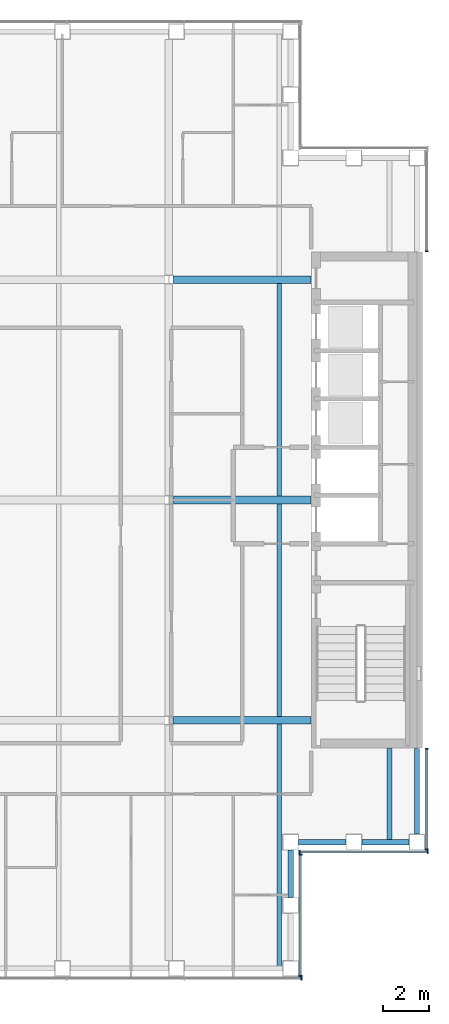
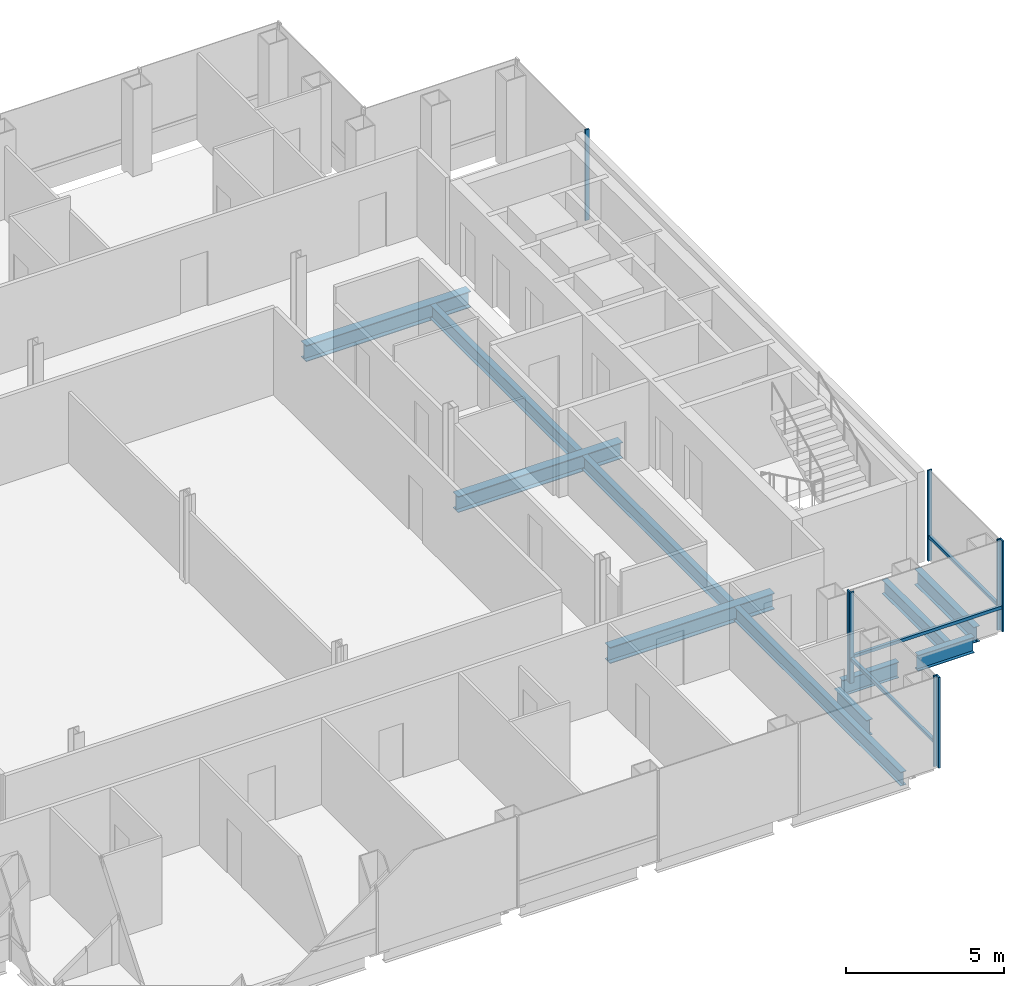
# One storey, part 6 of 15: 11 beams, 11 members, 5 elements without a shape of their own.
"""IFC4 building model written with IfcOpenShell, lengths in metres."""

from ifc_helpers import new_model, si_unit, direction, frame, origin, origin_2d, place, context, subcontext, project, spatial, rectangle, i_section, extrude, material, material_profile, profile_set, type_object, element, aggregate, save


model = new_model("IFC4")

# Units and contexts
model_context = context("Model", 3, precision=1e-05, world=origin(), true_north=direction((0.0, 1.0)))
body_context = subcontext(model_context, "Body", "Model", "MODEL_VIEW")
ifc_project = project(units=[si_unit("LENGTHUNIT", "METRE"), si_unit("AREAUNIT", "SQUARE_METRE"), si_unit("VOLUMEUNIT", "CUBIC_METRE"), si_unit("PLANEANGLEUNIT", "RADIAN"), si_unit("MASSUNIT", "GRAM", prefix="KILO")], contexts=[model_context])

# Site, building, storey
site_placement = place(None, origin())
site = spatial("IfcSite", under=ifc_project, at=site_placement, CompositionType="ELEMENT")
building_placement = place(site_placement, origin())
building = spatial("IfcBuilding", under=site, at=building_placement, Name="Cobrizo Arcos Hotel Tower", CompositionType="ELEMENT")
storey_placement = place(building_placement, frame((0.0, 0.0, 194.5)))
storey = spatial("IfcBuildingStorey", under=building, at=storey_placement, Name="L50", CompositionType="ELEMENT", Elevation=194.5)

# Curtain wall, member
ifc_material_1 = material(Name="Aluminium 6063-T6 anodised bronze", Category="aluminium")
curtain_wall_type = type_object("IfcCurtainWallType", Name="CW-A guest facade", PredefinedType="NOTDEFINED", material=ifc_material_1)
curtain_wall_1_placement = place(storey_placement, origin())
curtain_wall_1 = element("IfcCurtainWall", 1, at=curtain_wall_1_placement, inside=storey, type_object=curtain_wall_type, Name="CW-A L50 S face", PredefinedType="NOTDEFINED")
ifc_material_profile_1 = material_profile(ifc_material_1, rectangle(XDim=0.14990234375, YDim=0.06005859375, at=origin_2d()), Name="CW-A mullion 150x60")
ifc_profile_set_1 = profile_set([ifc_material_profile_1], Name="Aluminium 6063-T6 anodised bronze")
member_type_1 = type_object("IfcMemberType", Name="CW-A mullion 150x60", PredefinedType="MULLION", material=ifc_profile_set_1)
member_1_placement = place(storey_placement, frame((15.3701171875, -20.824951171875, 0.0), z_axis=(0.0, 0.0, 1.0), x_axis=(0.0, -1.0, 0.0)))
member_1 = element("IfcMember", 2, at=member_1_placement, type_object=member_type_1, Name="CW-A mullion 7", PredefinedType="MULLION", context=body_context, shape_type="SweptSolid", body=[
    extrude(rectangle(XDim=0.14990234375, YDim=0.06005859375, at=origin_2d()), origin(), (0.0, 0.0, 1.0), 3.5),
])
aggregate(curtain_wall_1, [member_1])

# Curtain wall, members
curtain_wall_2_placement = place(storey_placement, origin())
curtain_wall_2 = element("IfcCurtainWall", 3, at=curtain_wall_2_placement, inside=storey, type_object=curtain_wall_type, Name="CW-A L50 E face", PredefinedType="NOTDEFINED")
member_2_placement = place(storey_placement, frame((15.324951171875, -20.719970703125, 0.0), z_axis=(0.0, 0.0, 1.0), x_axis=(1.0, 0.0, 0.0)))
member_2 = element("IfcMember", 4, at=member_2_placement, type_object=member_type_1, Name="CW-A mullion 1", PredefinedType="MULLION", context=body_context, shape_type="SweptSolid", body=[
    extrude(rectangle(XDim=0.14990234375, YDim=0.06005859375, at=origin_2d()), origin(), (0.0, 0.0, 1.0), 3.5),
])
member_3_placement = place(storey_placement, frame((15.324951171875, -15.429931640625, 0.0), z_axis=(0.0, 0.0, 1.0), x_axis=(1.0, 0.0, 0.0)))
member_3 = element("IfcMember", 5, at=member_3_placement, type_object=member_type_1, Name="CW-A mullion 2", PredefinedType="MULLION", context=body_context, shape_type="SweptSolid", body=[
    extrude(rectangle(XDim=0.14990234375, YDim=0.06005859375, at=origin_2d()), origin(), (0.0, 0.0, 1.0), 3.5),
])

curtain_wall_3_placement = place(storey_placement, origin())
curtain_wall_3 = element("IfcCurtainWall", 6, at=curtain_wall_3_placement, inside=storey, type_object=curtain_wall_type, Name="CW-A L50 S face", PredefinedType="NOTDEFINED")
member_4_placement = place(storey_placement, frame((15.280029296875, -15.324951171875, 0.0), z_axis=(0.0, 0.0, 1.0), x_axis=(0.0, -1.0, 0.0)))
member_4 = element("IfcMember", 7, at=member_4_placement, type_object=member_type_1, Name="CW-A mullion 1", PredefinedType="MULLION", context=body_context, shape_type="SweptSolid", body=[
    extrude(rectangle(XDim=0.14990234375, YDim=0.06005859375, at=origin_2d()), origin(), (0.0, 0.0, 1.0), 3.5),
])
member_5_placement = place(storey_placement, frame((20.8701171875, -15.324951171875, 0.0), z_axis=(0.0, 0.0, 1.0), x_axis=(0.0, -1.0, 0.0)))
member_5 = element("IfcMember", 8, at=member_5_placement, type_object=member_type_1, Name="CW-A mullion 2", PredefinedType="MULLION", context=body_context, shape_type="SweptSolid", body=[
    extrude(rectangle(XDim=0.14990234375, YDim=0.06005859375, at=origin_2d()), origin(), (0.0, 0.0, 1.0), 3.5),
])

curtain_wall_4_placement = place(storey_placement, origin())
curtain_wall_4 = element("IfcCurtainWall", 9, at=curtain_wall_4_placement, inside=storey, type_object=curtain_wall_type, Name="CW-A L50 E face", PredefinedType="NOTDEFINED")
member_6_placement = place(storey_placement, frame((20.824951171875, -15.219970703125, 0.0), z_axis=(0.0, 0.0, 1.0), x_axis=(1.0, 0.0, 0.0)))
member_6 = element("IfcMember", 10, at=member_6_placement, type_object=member_type_1, Name="CW-A mullion 1", PredefinedType="MULLION", context=body_context, shape_type="SweptSolid", body=[
    extrude(rectangle(XDim=0.14990234375, YDim=0.06005859375, at=origin_2d()), origin(), (0.0, 0.0, 1.0), 3.5),
])
member_7_placement = place(storey_placement, frame((20.824951171875, -10.830078125, 0.0), z_axis=(0.0, 0.0, 1.0), x_axis=(1.0, 0.0, 0.0)))
member_7 = element("IfcMember", 11, at=member_7_placement, type_object=member_type_1, Name="CW-A mullion 2", PredefinedType="MULLION", context=body_context, shape_type="SweptSolid", body=[
    extrude(rectangle(XDim=0.14990234375, YDim=0.06005859375, at=origin_2d()), origin(), (0.0, 0.0, 1.0), 3.5),
])

# Curtain wall, member
curtain_wall_5_placement = place(storey_placement, origin())
curtain_wall_5 = element("IfcCurtainWall", 12, at=curtain_wall_5_placement, inside=storey, type_object=curtain_wall_type, Name="CW-A L50 E face", PredefinedType="NOTDEFINED")
member_8_placement = place(storey_placement, frame((20.824951171875, 10.830078125, 0.0), z_axis=(0.0, 0.0, 1.0), x_axis=(1.0, 0.0, 0.0)))
member_8 = element("IfcMember", 13, at=member_8_placement, type_object=member_type_1, Name="CW-A mullion 1", PredefinedType="MULLION", context=body_context, shape_type="SweptSolid", body=[
    extrude(rectangle(XDim=0.14990234375, YDim=0.06005859375, at=origin_2d()), origin(), (0.0, 0.0, 1.0), 3.5),
])
aggregate(curtain_wall_5, [member_8])

# Member
ifc_material_profile_2 = material_profile(ifc_material_1, rectangle(XDim=0.10009765625, YDim=0.1201171875, at=origin_2d()), Name="CW-A transom 120x100")
ifc_profile_set_2 = profile_set([ifc_material_profile_2], Name="Aluminium 6063-T6 anodised bronze")
member_type_2 = type_object("IfcMemberType", Name="CW-A transom 120x100", PredefinedType="USERDEFINED", material=ifc_profile_set_2)
member_9_placement = place(storey_placement, frame((15.324951171875, -20.68994140625, 0.929931640625), z_axis=(0.0, 1.0, 0.0), x_axis=(-1.0, 0.0, 0.0)))
member_9 = element("IfcMember", 14, at=member_9_placement, type_object=member_type_2, Name="CW-A transom 1726", ObjectType="TRANSOM", PredefinedType="USERDEFINED", context=body_context, shape_type="SweptSolid", body=[
    extrude(rectangle(XDim=0.10009765625, YDim=0.1201171875, at=origin_2d()), origin(), (0.0, 0.0, 1.0), 5.22998046875),
])

aggregate(curtain_wall_2, [member_2, member_3, member_9])

member_10_placement = place(storey_placement, frame((15.31005859375, -15.324951171875, 0.929931640625), z_axis=(1.0, 0.0, 0.0), x_axis=(0.0, 1.0, 0.0)))
member_10 = element("IfcMember", 15, at=member_10_placement, type_object=member_type_2, Name="CW-A transom 1727", ObjectType="TRANSOM", PredefinedType="USERDEFINED", context=body_context, shape_type="SweptSolid", body=[
    extrude(rectangle(XDim=0.10009765625, YDim=0.1201171875, at=origin_2d()), origin(), (0.0, 0.0, 1.0), 5.530029296875),
])

aggregate(curtain_wall_3, [member_4, member_5, member_10])

member_11_placement = place(storey_placement, frame((20.824951171875, -15.18994140625, 0.929931640625), z_axis=(0.0, 1.0, 0.0), x_axis=(-1.0, 0.0, 0.0)))
member_11 = element("IfcMember", 16, at=member_11_placement, type_object=member_type_2, Name="CW-A transom 1728", ObjectType="TRANSOM", PredefinedType="USERDEFINED", context=body_context, shape_type="SweptSolid", body=[
    extrude(rectangle(XDim=0.10009765625, YDim=0.1201171875, at=origin_2d()), origin(), (0.0, 0.0, 1.0), 4.329833984375),
])

aggregate(curtain_wall_4, [member_6, member_7, member_11])

# Beams
ifc_material_2 = material(Name="Steel ASTM A992 Grade 50", Category="steel")
ifc_material_profile_3 = material_profile(ifc_material_2, i_section(OverallWidth=0.209228515625, OverallDepth=0.533447265625, WebThickness=0.01025390625, FlangeThickness=0.015625, at=origin_2d()), Name="W21X62")
ifc_profile_set_3 = profile_set([ifc_material_profile_3], Name="Steel ASTM A992 Grade 50")
beam_type_1 = type_object("IfcBeamType", Name="W21X62 joist", PredefinedType="JOIST", material=ifc_profile_set_3)
beam_1_placement = place(storey_placement, frame((14.39990234375, -20.31005859375, -0.416748046875), z_axis=(0.0, 1.0, 0.0), x_axis=(-1.0, 0.0, 0.0)))
element("IfcBeam", 17, at=beam_1_placement, inside=storey, type_object=beam_type_1, Name="Floor joist J1, L50, no. 015", PredefinedType="JOIST", context=body_context, shape_type="SweptSolid", body=[
    extrude(i_section(OverallWidth=0.209228515625, OverallDepth=0.533447265625, WebThickness=0.01025390625, FlangeThickness=0.015625, at=origin_2d()), origin(), (0.0, 0.0, 1.0), 10.546142578125),
])
for number, where, z_axis, x_axis, name in (
    (18, (14.39990234375, -9.43603515625, -0.416748046875), (0.0, 1.0, 0.0), (-1.0, 0.0, 0.0), "Floor joist J1, L50, no. 016"),
    (19, (14.39990234375, 0.163818359375, -0.416748046875), (0.0, 1.0, 0.0), (-1.0, 0.0, 0.0), "Floor joist J1, L50, no. 017"),
):
    element("IfcBeam", number, at=place(storey_placement, frame(where, z_axis=z_axis, x_axis=x_axis)), inside=storey, type_object=beam_type_1, Name=name, PredefinedType="JOIST", context=body_context, shape_type="SweptSolid", body=[
        extrude(i_section(OverallWidth=0.209228515625, OverallDepth=0.533447265625, WebThickness=0.01025390625, FlangeThickness=0.015625, at=origin_2d()), origin(), (0.0, 0.0, 1.0), 9.272216796875),
    ])
beam_2_placement = place(storey_placement, frame((19.199951171875, -14.81005859375, -0.416748046875), z_axis=(0.0, 1.0, 0.0), x_axis=(-1.0, 0.0, 0.0)))
element("IfcBeam", 20, at=beam_2_placement, inside=storey, type_object=beam_type_1, Name="Floor joist J1, L50, no. 019", PredefinedType="JOIST", context=body_context, shape_type="SweptSolid", body=[
    extrude(i_section(OverallWidth=0.209228515625, OverallDepth=0.533447265625, WebThickness=0.01025390625, FlangeThickness=0.015625, at=origin_2d()), origin(), (0.0, 0.0, 1.0), 4.0),
])
ifc_material_profile_4 = material_profile(ifc_material_2, i_section(OverallWidth=0.32763671875, OverallDepth=0.622314453125, WebThickness=0.015380859375, FlangeThickness=0.0244140625, at=origin_2d()), Name="W24X131")
ifc_profile_set_4 = profile_set([ifc_material_profile_4], Name="Steel ASTM A992 Grade 50")
beam_type_2 = type_object("IfcBeamType", Name="W24X131 girder", PredefinedType="BEAM", material=ifc_profile_set_4)
for number, where, z_axis, x_axis, name in (
    (21, (9.78662109375, -9.60009765625, -0.461181640625), (1.0, 0.0, 0.0), (0.0, 1.0, 0.0), "Floor girder G1, L50, no. 004"),
    (22, (9.78662109375, 0.0, -0.461181640625), (1.0, 0.0, 0.0), (0.0, 1.0, 0.0), "Floor girder G1, L50, no. 008"),
    (23, (9.78662109375, 9.60009765625, -0.461181640625), (1.0, 0.0, 0.0), (0.0, 1.0, 0.0), "Floor girder G1, L50, no. 012"),
):
    element("IfcBeam", number, at=place(storey_placement, frame(where, z_axis=z_axis, x_axis=x_axis)), inside=storey, type_object=beam_type_2, Name=name, PredefinedType="BEAM", context=body_context, shape_type="SweptSolid", body=[
        extrude(i_section(OverallWidth=0.32763671875, OverallDepth=0.622314453125, WebThickness=0.015380859375, FlangeThickness=0.0244140625, at=origin_2d()), origin(), (0.0, 0.0, 1.0), 6.00341796875),
    ])
ifc_material_profile_5 = material_profile(ifc_material_2, i_section(OverallWidth=0.228271484375, OverallDepth=0.607177734375, WebThickness=0.01123046875, FlangeThickness=0.017333984375, at=origin_2d()), Name="W24X76")
ifc_profile_set_5 = profile_set([ifc_material_profile_5], Name="Steel ASTM A992 Grade 50")
beam_type_3 = type_object("IfcBeamType", Name="W24X76 spandrel", PredefinedType="SPANDREL", material=ifc_profile_set_5)
for number, where, z_axis, x_axis, name in (
    (24, (14.89990234375, -17.300048828125, -0.45361328125), (0.0, 1.0, 0.0), (-1.0, 0.0, 0.0), "Spandrel beam W24X76, L50, no. 008"),
    (25, (15.25, -14.89990234375, -0.45361328125), (1.0, 0.0, 0.0), (0.0, 1.0, 0.0), "Spandrel beam W24X76, L50, no. 009"),
    (26, (18.0, -14.89990234375, -0.45361328125), (1.0, 0.0, 0.0), (0.0, 1.0, 0.0), "Spandrel beam W24X76, L50, no. 010"),
):
    element("IfcBeam", number, at=place(storey_placement, frame(where, z_axis=z_axis, x_axis=x_axis)), inside=storey, type_object=beam_type_3, Name=name, PredefinedType="SPANDREL", context=body_context, shape_type="SweptSolid", body=[
        extrude(i_section(OverallWidth=0.228271484375, OverallDepth=0.607177734375, WebThickness=0.01123046875, FlangeThickness=0.017333984375, at=origin_2d()), origin(), (0.0, 0.0, 1.0), 2.050048828125),
    ])
beam_3_placement = place(storey_placement, frame((20.39990234375, -14.550048828125, -0.45361328125), z_axis=(0.0, 1.0, 0.0), x_axis=(-1.0, 0.0, 0.0)))
element("IfcBeam", 27, at=beam_3_placement, inside=storey, type_object=beam_type_3, Name="Spandrel beam W24X76, L50, no. 011", PredefinedType="SPANDREL", context=body_context, shape_type="SweptSolid", body=[
    extrude(i_section(OverallWidth=0.228271484375, OverallDepth=0.607177734375, WebThickness=0.01123046875, FlangeThickness=0.017333984375, at=origin_2d()), origin(), (0.0, 0.0, 1.0), 3.739990234375),
])

save(model, "model.ifc")
